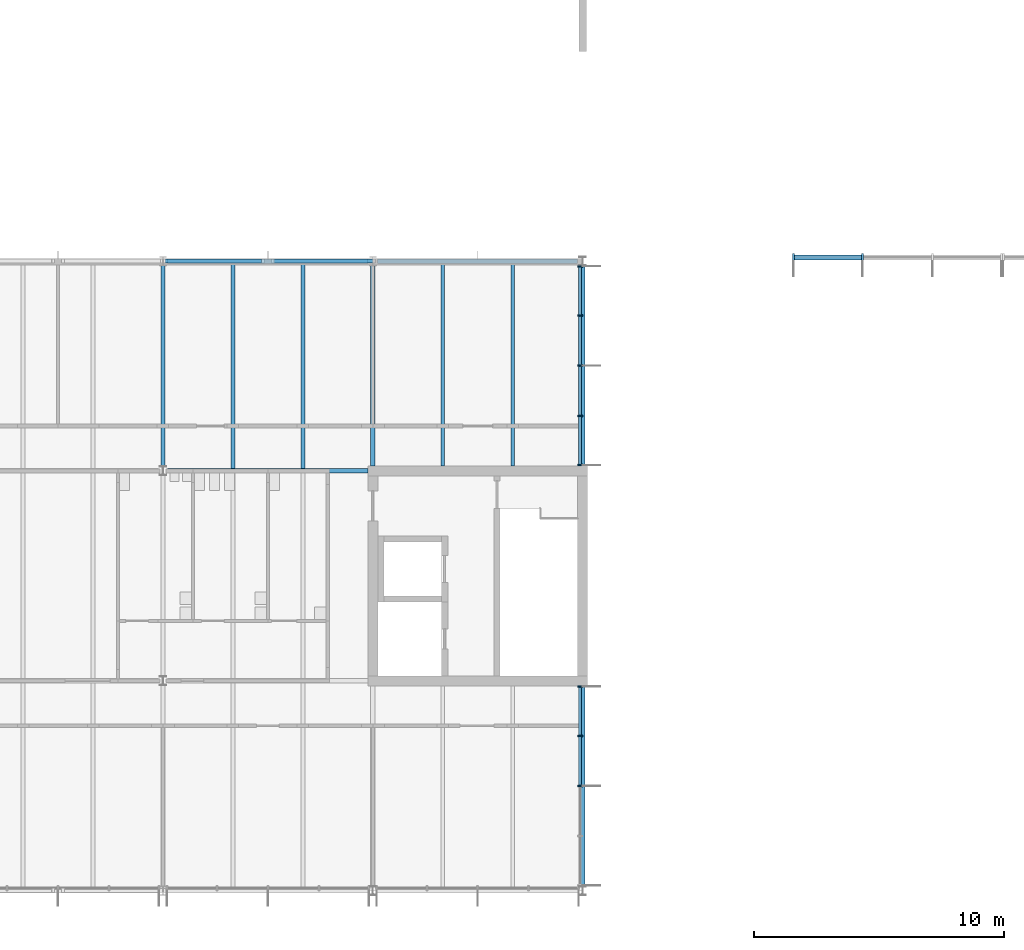
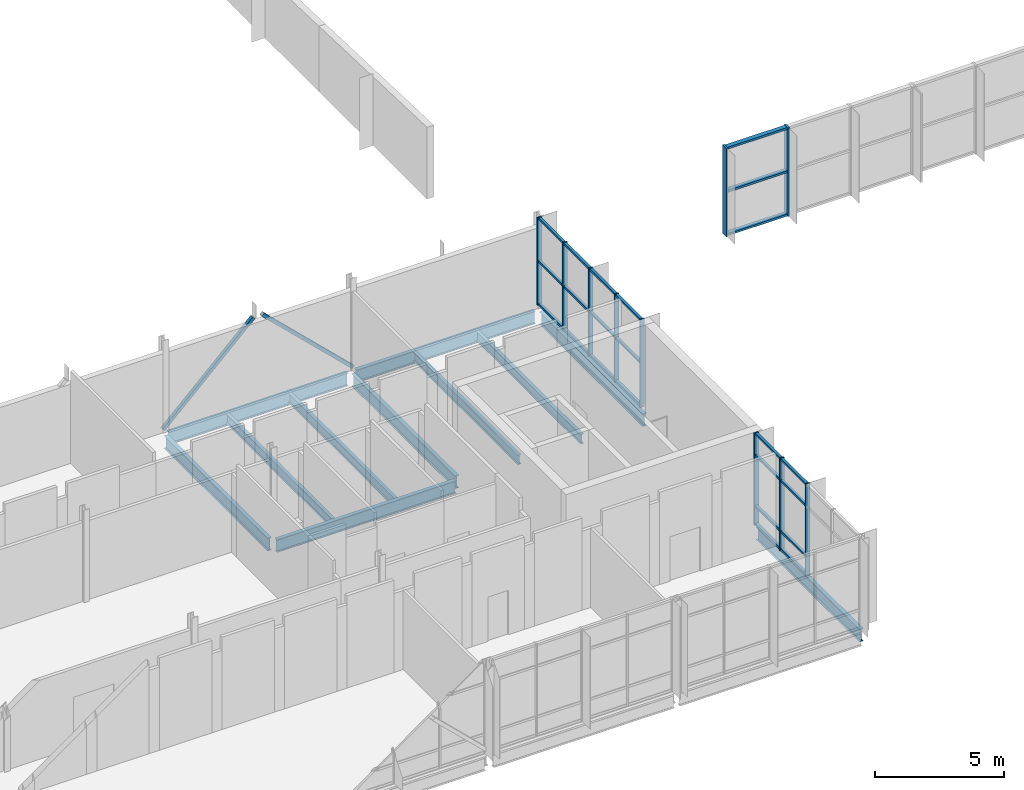
# One storey, part 15 of 72: 35 members, 11 beams, 3 elements without a shape of their own.
"""IFC4 building model written with IfcOpenShell, lengths in metres."""

import ifcopenshell
import ifcopenshell.guid

model = None  # the IFC model being written
_history = None  # IfcOwnerHistory: only IFC2X3 demands one
_inside = {}  # id of a spatial element -> (the spatial element, [elements in it])
_under = {}  # id of a project, library or spatial element -> (it, [spatial elements below it])
_declared = {}  # id of a project -> (the project, [libraries it declares])
_typed = {}  # id of a type object -> (the type object, [elements of that type])
_made_of = {}  # id of a material, layer set ... -> (it, [elements and type objects made of it])


def new_model(schema):
    """Start an empty IFC model of exactly this schema.

    Asked for "IFC4X3", IfcOpenShell would pick the latest addendum, in which some entities
    have other attributes; the version numbers below select the first issue.
    IFC2X3 requires an IfcOwnerHistory on every rooted entity: one is made here for all.
    """
    global model, _history
    if schema == "IFC4X3":
        model = ifcopenshell.file(schema_version=(4, 3, 0, 0))
    else:
        model = ifcopenshell.file(schema=schema)
    _inside.clear()
    _under.clear()
    _declared.clear()
    _typed.clear()
    _made_of.clear()
    _history = None
    if model.schema == "IFC2X3":
        org = make("IfcOrganization", Name="unknown")
        user = make(
            "IfcPersonAndOrganization",
            ThePerson=make("IfcPerson", FamilyName="unknown"),
            TheOrganization=org,
        )
        app = make(
            "IfcApplication",
            ApplicationDeveloper=org,
            Version="unknown",
            ApplicationFullName="unknown",
            ApplicationIdentifier="unknown",
        )
        _history = make(
            "IfcOwnerHistory",
            OwningUser=user,
            OwningApplication=app,
            ChangeAction="ADDED",
            CreationDate=0,
        )
    return model


def make(cls, **values):
    """One entity of the class cls with the attributes given. An attribute that is None is left unset."""
    return model.create_entity(
        cls, **{name: value for name, value in values.items() if value is not None}
    )


def rooted(cls, **values):
    """An entity with a GlobalId (a new one), such as an element, a storey or a relation."""
    return make(cls, GlobalId=ifcopenshell.guid.new(), OwnerHistory=_history, **values)


def si_unit(unit_type, name, prefix=None):
    """IfcSIUnit, for example si_unit("LENGTHUNIT", "METRE", prefix="MILLI")."""
    return make("IfcSIUnit", UnitType=unit_type, Prefix=prefix, Name=name)


def assignment(units):
    """IfcUnitAssignment: the units of a project."""
    return None if units is None else make("IfcUnitAssignment", Units=units)


def point(xyz):
    """IfcCartesianPoint."""
    return None if xyz is None else make("IfcCartesianPoint", Coordinates=xyz)


def direction(xyz):
    """IfcDirection."""
    return None if xyz is None else make("IfcDirection", DirectionRatios=xyz)


def frame(location, z_axis=None, x_axis=None):
    """IfcAxis2Placement3D, a coordinate frame: its origin and axes. An axis left out is left unset."""
    return make(
        "IfcAxis2Placement3D",
        Location=point(location),
        Axis=direction(z_axis),
        RefDirection=direction(x_axis),
    )


def frame_2d(location, x_axis=None):
    """IfcAxis2Placement2D, a coordinate frame in the plane: its origin and x axis."""
    return make(
        "IfcAxis2Placement2D", Location=point(location), RefDirection=direction(x_axis)
    )


def origin():
    """The frame at (0, 0, 0) with its axes left unset."""
    return frame((0.0, 0.0, 0.0))


def origin_2d():
    """The frame at (0, 0) in the plane with its x axis left unset."""
    return frame_2d((0.0, 0.0))


def place(relative_to, where):
    """IfcLocalPlacement: puts the frame where relative to a parent placement (None: the world)."""
    return make(
        "IfcLocalPlacement", PlacementRelTo=relative_to, RelativePlacement=where
    )


def context(
    kind, dimensions, precision=None, world=None, true_north=None, identifier=None
):
    """IfcGeometricRepresentationContext, for example the 3D "Model" context."""
    return make(
        "IfcGeometricRepresentationContext",
        ContextIdentifier=identifier,
        ContextType=kind,
        CoordinateSpaceDimension=dimensions,
        Precision=precision,
        WorldCoordinateSystem=world,
        TrueNorth=true_north,
    )


def subcontext(parent, identifier, kind, view, scale=None):
    """IfcGeometricRepresentationSubContext, for example "Body" below "Model"."""
    return make(
        "IfcGeometricRepresentationSubContext",
        ContextIdentifier=identifier,
        ContextType=kind,
        ParentContext=parent,
        TargetScale=scale,
        TargetView=view,
    )


def project(units=None, contexts=None):
    """IfcProject with its units and contexts."""
    return rooted(
        "IfcProject",
        Name="project",
        RepresentationContexts=contexts,
        UnitsInContext=assignment(units),
    )


def spatial(cls, under=None, at=None, **own):
    """A site, building, storey or space (cls), placed at a placement, below another one or the project."""
    s = rooted(cls, ObjectPlacement=at, **own)
    if under is not None:
        _under.setdefault(under.id(), (under, []))[1].append(s)
    return s


def profile(cls, at=None, kind="AREA", **sizes):
    """A parametric profile (cls). Its sizes go by their IFC names, for example OverallWidth=200.0."""
    return make(cls, ProfileType=kind, Position=at, **sizes)


def rectangle(**sizes):
    """IfcRectangleProfileDef."""
    return profile("IfcRectangleProfileDef", **sizes)


def hollow_rectangle(**sizes):
    """IfcRectangleHollowProfileDef."""
    return profile("IfcRectangleHollowProfileDef", **sizes)


def i_section(**sizes):
    """IfcIShapeProfileDef."""
    return profile("IfcIShapeProfileDef", **sizes)


def extrude(swept, where, along, depth):
    """IfcExtrudedAreaSolid: the profile swept, set in the frame where, extruded along a direction by depth."""
    return make(
        "IfcExtrudedAreaSolid",
        SweptArea=swept,
        Position=where,
        ExtrudedDirection=direction(along),
        Depth=depth,
    )


def shape(context_of_items, identifier, shape_type, items):
    """IfcShapeRepresentation: the items that make up one representation, for example the "Body"."""
    return make(
        "IfcShapeRepresentation",
        ContextOfItems=context_of_items,
        RepresentationIdentifier=identifier,
        RepresentationType=shape_type,
        Items=items,
    )


def material(Name=None, Category=None):
    """IfcMaterial."""
    return make("IfcMaterial", Name=Name, Category=Category)


def material_profile(
    of_material, cross_section, Name=None, Category=None, Priority=None
):
    """IfcMaterialProfile: a cross section and its material."""
    return make(
        "IfcMaterialProfile",
        Name=Name,
        Material=of_material,
        Profile=cross_section,
        Priority=Priority,
        Category=Category,
    )


def profile_set(profiles, Name=None, composite=None):
    """IfcMaterialProfileSet."""
    return make(
        "IfcMaterialProfileSet",
        Name=Name,
        MaterialProfiles=profiles,
        CompositeProfile=composite,
    )


def made_of(thing, what):
    """Note that an element or type object is made of a material, layer set ...; save() writes the relation."""
    if what is not None:
        _made_of.setdefault(what.id(), (what, []))[1].append(thing)
    return thing


def type_object(cls, material=None, **own):
    """A type object (cls), such as IfcWallType, which elements share."""
    return made_of(rooted(cls, **own), material)


def element(
    cls,
    number,
    at=None,
    inside=None,
    cuts=None,
    type_object=None,
    material=None,
    context=None,
    identifier="Body",
    shape_type=None,
    held_by="IfcProductDefinitionShape",
    body=None,
    shapes=None,
    **own,
):
    """One element of the class cls, such as IfcWall. Its Tag is "e" and its number.

    at: its placement. inside: the storey or other place that contains it. cuts: it is an
    opening in that element (IfcRelVoidsElement). A single representation is given by context,
    identifier, shape_type and body (its items); several are given by shapes. held_by: the class
    of the entity that holds the representations. save() writes the other relations.
    """
    e = rooted(cls, Tag="e%d" % number, ObjectPlacement=at, **own)
    if body is not None:
        shapes = [shape(context, identifier, shape_type, body)]
    if shapes is not None:
        e.Representation = make(held_by, Representations=shapes)
    if inside is not None:
        _inside.setdefault(inside.id(), (inside, []))[1].append(e)
    if cuts is not None:
        rooted(
            "IfcRelVoidsElement", RelatingBuildingElement=cuts, RelatedOpeningElement=e
        )
    if type_object is not None:
        _typed.setdefault(type_object.id(), (type_object, []))[1].append(e)
    return made_of(e, material)


def aggregate(whole, parts):
    """IfcRelAggregates: a whole, such as a stair, and the parts it consists of."""
    return rooted("IfcRelAggregates", RelatingObject=whole, RelatedObjects=parts)


def save(model, path):
    """Write the relations noted so far, then the file.

    IfcRelAggregates (storeys below a building ...), IfcRelContainedInSpatialStructure (elements
    in a storey), IfcRelDefinesByType, IfcRelAssociatesMaterial and IfcRelDeclares: one each for
    every whole, place, type object, material and project.
    """
    for whole, parts in _under.values():
        aggregate(whole, parts)
    for where, things in _inside.values():
        rooted(
            "IfcRelContainedInSpatialStructure",
            RelatedElements=things,
            RelatingStructure=where,
        )
    for kind, things in _typed.values():
        rooted("IfcRelDefinesByType", RelatedObjects=things, RelatingType=kind)
    for what, things in _made_of.values():
        rooted("IfcRelAssociatesMaterial", RelatedObjects=things, RelatingMaterial=what)
    for by, libraries in _declared.values():
        rooted("IfcRelDeclares", RelatingContext=by, RelatedDefinitions=libraries)
    model.write(path)


model = new_model("IFC4")

# Units and contexts
model_context = context("Model", 3, precision=1e-05, world=origin(), true_north=direction((0.0, 1.0)))
body_context = subcontext(model_context, "Body", "Model", "MODEL_VIEW")
ifc_project = project(units=[si_unit("LENGTHUNIT", "METRE"), si_unit("AREAUNIT", "SQUARE_METRE"), si_unit("VOLUMEUNIT", "CUBIC_METRE"), si_unit("PLANEANGLEUNIT", "RADIAN"), si_unit("MASSUNIT", "GRAM", prefix="KILO")], contexts=[model_context])

# Site, building, storey
site_placement = place(None, origin())
site = spatial("IfcSite", under=ifc_project, at=site_placement, CompositionType="ELEMENT")
building_placement = place(site_placement, origin())
building = spatial("IfcBuilding", under=site, at=building_placement, Name="Hlaing Beacon Police Headquarters", CompositionType="ELEMENT")
storey_placement = place(building_placement, frame((0.0, 0.0, 14.39990234375)))
storey = spatial("IfcBuildingStorey", under=building, at=storey_placement, Name="L03", CompositionType="ELEMENT", Elevation=14.39990234375)

# Members
ifc_material_1 = material(Name="Steel ASTM A500 Grade C", Category="steel")
ifc_material_profile_1 = material_profile(ifc_material_1, hollow_rectangle(XDim=0.15234375, YDim=0.15234375, WallThickness=0.009521484375, at=origin_2d()), Name="HSS6x6x3/8")
ifc_profile_set_1 = profile_set([ifc_material_profile_1], Name="Steel ASTM A500 Grade C")
member_type_1 = type_object("IfcMemberType", Name="Chevron brace HSS6x6x3/8", PredefinedType="BRACE", material=ifc_profile_set_1)
member_1_placement = place(storey_placement, frame((41.9560546875, 33.60009765625, 0.05517578125), z_axis=(0.719983903196, 0.0, 0.693990763006), x_axis=(0.0, 1.0, 0.0)))
element("IfcMember", 1, at=member_1_placement, inside=storey, type_object=member_type_1, Name="STR-BR-L03-5Fa", PredefinedType="BRACE", context=body_context, shape_type="SweptSolid", body=[
    extrude(hollow_rectangle(XDim=0.15234375, YDim=0.15234375, WallThickness=0.009521484375, at=origin_2d()), origin(), (0.0, 0.0, 1.0), 5.61669921875),
])
member_2_placement = place(storey_placement, frame((50.444091796875, 33.60009765625, 0.05517578125), z_axis=(-0.720004836827, 0.0, 0.693969044659), x_axis=(0.0, -1.0, 0.0)))
element("IfcMember", 2, at=member_2_placement, inside=storey, type_object=member_type_1, Name="STR-BR-L03-5Fb", PredefinedType="BRACE", context=body_context, shape_type="SweptSolid", body=[
    extrude(hollow_rectangle(XDim=0.15234375, YDim=0.15234375, WallThickness=0.009521484375, at=origin_2d()), origin(), (0.0, 0.0, 1.0), 5.616943359375),
])

# Beams
ifc_material_2 = material(Name="Steel ASTM A992 Grade 50", Category="steel")
ifc_material_profile_2 = material_profile(ifc_material_2, i_section(OverallWidth=0.177978515625, OverallDepth=0.599365234375, WebThickness=0.010009765625, FlangeThickness=0.012939453125, FilletRadius=0.012939453125, at=origin_2d()), Name="W24x55")
ifc_profile_set_2 = profile_set([ifc_material_profile_2], Name="Steel ASTM A992 Grade 50")
beam_type_1 = type_object("IfcBeamType", Name="Girder W24x55", PredefinedType="BEAM", material=ifc_profile_set_2)
beam_1_placement = place(storey_placement, frame((42.18505859375, 25.199951171875, -0.4296875), z_axis=(1.0, 0.0, 0.0), x_axis=(0.0, 1.0, 0.0)))
element("IfcBeam", 3, at=beam_1_placement, inside=storey, type_object=beam_type_1, Name="STR-BM-L03-GX-F4-G4", PredefinedType="BEAM", context=body_context, shape_type="SweptSolid", body=[
    extrude(i_section(OverallWidth=0.177978515625, OverallDepth=0.599365234375, WebThickness=0.010009765625, FlangeThickness=0.012939453125, FilletRadius=0.012939453125, at=origin_2d()), origin(), (0.0, 0.0, 1.0), 8.014892578125),
])
beam_2_placement = place(storey_placement, frame((50.5849609375, 33.60009765625, -0.4296875), z_axis=(1.0, 0.0, 0.0), x_axis=(0.0, 1.0, 0.0)))
element("IfcBeam", 4, at=beam_2_placement, inside=storey, type_object=beam_type_1, Name="STR-BM-L03-GX-G5-H5", PredefinedType="BEAM", context=body_context, shape_type="SweptSolid", body=[
    extrude(i_section(OverallWidth=0.177978515625, OverallDepth=0.599365234375, WebThickness=0.010009765625, FlangeThickness=0.012939453125, FilletRadius=0.012939453125, at=origin_2d()), origin(), (0.0, 0.0, 1.0), 8.01513671875),
])
beam_3_placement = place(storey_placement, frame((42.0, 25.382080078125, -0.4296875), z_axis=(0.0, 1.0, 0.0), x_axis=(-1.0, 0.0, 0.0)))
element("IfcBeam", 5, at=beam_3_placement, inside=storey, type_object=beam_type_1, Name="STR-BM-L03-GY-F4-F5", PredefinedType="BEAM", context=body_context, shape_type="SweptSolid", body=[
    extrude(i_section(OverallWidth=0.177978515625, OverallDepth=0.599365234375, WebThickness=0.010009765625, FlangeThickness=0.012939453125, FilletRadius=0.012939453125, at=origin_2d()), origin(), (0.0, 0.0, 1.0), 8.037841796875),
])
beam_4_placement = place(storey_placement, frame((50.39990234375, 25.39990234375, -0.4296875), z_axis=(0.0, 1.0, 0.0), x_axis=(-1.0, 0.0, 0.0)))
element("IfcBeam", 6, at=beam_4_placement, inside=storey, type_object=beam_type_1, Name="STR-BM-L03-GY-G4-G5", PredefinedType="BEAM", context=body_context, shape_type="SweptSolid", body=[
    extrude(i_section(OverallWidth=0.177978515625, OverallDepth=0.599365234375, WebThickness=0.010009765625, FlangeThickness=0.012939453125, FilletRadius=0.012939453125, at=origin_2d()), origin(), (0.0, 0.0, 1.0), 8.02001953125),
])
beam_5_placement = place(storey_placement, frame((58.800048828125, 8.576904296875, -0.4296875), z_axis=(0.0, 1.0, 0.0), x_axis=(-1.0, 0.0, 0.0)))
element("IfcBeam", 7, at=beam_5_placement, inside=storey, type_object=beam_type_1, Name="STR-BM-L03-GY-H2-H3", PredefinedType="BEAM", context=body_context, shape_type="SweptSolid", body=[
    extrude(i_section(OverallWidth=0.177978515625, OverallDepth=0.599365234375, WebThickness=0.010009765625, FlangeThickness=0.012939453125, FilletRadius=0.012939453125, at=origin_2d()), origin(), (0.0, 0.0, 1.0), 8.023193359375),
])
beam_6_placement = place(storey_placement, frame((58.800048828125, 25.39990234375, -0.4296875), z_axis=(0.0, 1.0, 0.0), x_axis=(-1.0, 0.0, 0.0)))
element("IfcBeam", 8, at=beam_6_placement, inside=storey, type_object=beam_type_1, Name="STR-BM-L03-GY-H4-H5", PredefinedType="BEAM", context=body_context, shape_type="SweptSolid", body=[
    extrude(i_section(OverallWidth=0.177978515625, OverallDepth=0.599365234375, WebThickness=0.010009765625, FlangeThickness=0.012939453125, FilletRadius=0.012939453125, at=origin_2d()), origin(), (0.0, 0.0, 1.0), 8.0),
])
ifc_material_3 = material(Name="Steel ASTM A992 Grade 50", Category="steel")
ifc_material_profile_3 = material_profile(ifc_material_3, i_section(OverallWidth=0.1787109375, OverallDepth=0.60205078125, WebThickness=0.010986328125, FlangeThickness=0.014892578125, FilletRadius=0.0126953125, at=origin_2d()), Name="W24x62")
ifc_profile_set_3 = profile_set([ifc_material_profile_3], Name="Steel ASTM A992 Grade 50")
beam_type_2 = type_object("IfcBeamType", Name="Girder W24x62", PredefinedType="BEAM", material=ifc_profile_set_3)
beam_7_placement = place(storey_placement, frame((42.18505859375, 33.60009765625, -0.430908203125), z_axis=(1.0, 0.0, 0.0), x_axis=(0.0, 1.0, 0.0)))
element("IfcBeam", 9, at=beam_7_placement, inside=storey, type_object=beam_type_2, Name="STR-BM-L03-GX-F5-G5", PredefinedType="BEAM", context=body_context, shape_type="SweptSolid", body=[
    extrude(i_section(OverallWidth=0.1787109375, OverallDepth=0.60205078125, WebThickness=0.010986328125, FlangeThickness=0.014892578125, FilletRadius=0.0126953125, at=origin_2d()), origin(), (0.0, 0.0, 1.0), 8.030029296875),
])

# Curtain wall, members
ifc_material_4 = material(Name="Aluminium frame with solar control glazing", Category="aluminium")
curtain_wall_type_1 = type_object("IfcCurtainWallType", Name="Unitised curtain wall 8.02 x 4.37", PredefinedType="NOTDEFINED", material=ifc_material_4)
curtain_wall_1_placement = place(storey_placement, origin())
curtain_wall_1 = element("IfcCurtainWall", 10, at=curtain_wall_1_placement, inside=storey, type_object=curtain_wall_type_1, Name="ENV-CW-L03-E013", PredefinedType="NOTDEFINED")
ifc_material_5 = material(Name="Aluminium", Category="aluminium")
ifc_material_profile_4 = material_profile(ifc_material_5, rectangle(XDim=0.199951171875, YDim=0.06005859375, at=origin_2d()), Name="Mullion 60x200")
ifc_profile_set_4 = profile_set([ifc_material_profile_4], Name="Aluminium")
member_type_2 = type_object("IfcMemberType", Name="Mullion 60x200", PredefinedType="MULLION", material=ifc_profile_set_4)
member_3_placement = place(storey_placement, frame((58.699951171875, 12.588134765625, 0.0), z_axis=(0.0, 0.0, 1.0), x_axis=(-1.0, 0.0, 0.0)))
member_3 = element("IfcMember", 11, at=member_3_placement, type_object=member_type_2, Name="CW-L03-E013 mullion 3", PredefinedType="MULLION", context=body_context, shape_type="SweptSolid", body=[
    extrude(rectangle(XDim=0.199951171875, YDim=0.06005859375, at=origin_2d()), origin(), (0.0, 0.0, 1.0), 4.3701171875),
])
member_4_placement = place(storey_placement, frame((58.699951171875, 14.59423828125, 0.0), z_axis=(0.0, 0.0, 1.0), x_axis=(-1.0, 0.0, 0.0)))
member_4 = element("IfcMember", 12, at=member_4_placement, type_object=member_type_2, Name="CW-L03-E013 mullion 4", PredefinedType="MULLION", context=body_context, shape_type="SweptSolid", body=[
    extrude(rectangle(XDim=0.199951171875, YDim=0.06005859375, at=origin_2d()), origin(), (0.0, 0.0, 1.0), 4.3701171875),
])
member_5_placement = place(storey_placement, frame((58.699951171875, 16.570068359375, 0.0), z_axis=(0.0, 0.0, 1.0), x_axis=(-1.0, 0.0, 0.0)))
member_5 = element("IfcMember", 13, at=member_5_placement, type_object=member_type_2, Name="CW-L03-E013 mullion 5", PredefinedType="MULLION", context=body_context, shape_type="SweptSolid", body=[
    extrude(rectangle(XDim=0.199951171875, YDim=0.06005859375, at=origin_2d()), origin(), (0.0, 0.0, 1.0), 4.3701171875),
])

ifc_material_6 = material(Name="Aluminium frame with solar control glazing", Category="aluminium")
curtain_wall_type_2 = type_object("IfcCurtainWallType", Name="Unitised curtain wall 8.02 x 4.16", PredefinedType="NOTDEFINED", material=ifc_material_6)
curtain_wall_2_placement = place(storey_placement, origin())
curtain_wall_2 = element("IfcCurtainWall", 14, at=curtain_wall_2_placement, inside=storey, type_object=curtain_wall_type_2, Name="ENV-CW-L03-E014", PredefinedType="NOTDEFINED")
member_6_placement = place(storey_placement, frame((58.699951171875, 25.429931640625, 0.2080078125), z_axis=(0.0, 0.0, 1.0), x_axis=(-1.0, 0.0, 0.0)))
member_6 = element("IfcMember", 15, at=member_6_placement, type_object=member_type_2, Name="CW-L03-E014 mullion 1", PredefinedType="MULLION", context=body_context, shape_type="SweptSolid", body=[
    extrude(rectangle(XDim=0.199951171875, YDim=0.06005859375, at=origin_2d()), origin(), (0.0, 0.0, 1.0), 4.162109375),
])
member_7_placement = place(storey_placement, frame((58.699951171875, 27.40576171875, 0.2080078125), z_axis=(0.0, 0.0, 1.0), x_axis=(-1.0, 0.0, 0.0)))
member_7 = element("IfcMember", 16, at=member_7_placement, type_object=member_type_2, Name="CW-L03-E014 mullion 2", PredefinedType="MULLION", context=body_context, shape_type="SweptSolid", body=[
    extrude(rectangle(XDim=0.199951171875, YDim=0.06005859375, at=origin_2d()), origin(), (0.0, 0.0, 1.0), 4.162109375),
])
member_8_placement = place(storey_placement, frame((58.699951171875, 29.411865234375, 0.2080078125), z_axis=(0.0, 0.0, 1.0), x_axis=(-1.0, 0.0, 0.0)))
member_8 = element("IfcMember", 17, at=member_8_placement, type_object=member_type_2, Name="CW-L03-E014 mullion 3", PredefinedType="MULLION", context=body_context, shape_type="SweptSolid", body=[
    extrude(rectangle(XDim=0.199951171875, YDim=0.06005859375, at=origin_2d()), origin(), (0.0, 0.0, 1.0), 4.162109375),
])
member_9_placement = place(storey_placement, frame((58.699951171875, 31.417724609375, 0.2080078125), z_axis=(0.0, 0.0, 1.0), x_axis=(-1.0, 0.0, 0.0)))
member_9 = element("IfcMember", 18, at=member_9_placement, type_object=member_type_2, Name="CW-L03-E014 mullion 4", PredefinedType="MULLION", context=body_context, shape_type="SweptSolid", body=[
    extrude(rectangle(XDim=0.199951171875, YDim=0.06005859375, at=origin_2d()), origin(), (0.0, 0.0, 1.0), 4.162109375),
])
member_10_placement = place(storey_placement, frame((58.699951171875, 33.3935546875, 0.2080078125), z_axis=(0.0, 0.0, 1.0), x_axis=(-1.0, 0.0, 0.0)))
member_10 = element("IfcMember", 19, at=member_10_placement, type_object=member_type_2, Name="CW-L03-E014 mullion 5", PredefinedType="MULLION", context=body_context, shape_type="SweptSolid", body=[
    extrude(rectangle(XDim=0.199951171875, YDim=0.06005859375, at=origin_2d()), origin(), (0.0, 0.0, 1.0), 4.162109375),
])

ifc_material_7 = material(Name="Aluminium frame with solar control glazing", Category="aluminium")
curtain_wall_type_3 = type_object("IfcCurtainWallType", Name="Structural glazed gable wall 8.40 x 4.20", PredefinedType="NOTDEFINED", material=ifc_material_7)
curtain_wall_3_placement = place(storey_placement, origin())
curtain_wall_3 = element("IfcCurtainWall", 20, at=curtain_wall_3_placement, inside=storey, type_object=curtain_wall_type_3, Name="ENV-CW-L03-S003", PredefinedType="NOTDEFINED")
ifc_material_8 = material(Name="Aluminium", Category="aluminium")
ifc_material_profile_5 = material_profile(ifc_material_8, rectangle(XDim=0.300048828125, YDim=0.080078125, at=origin_2d()), Name="Mullion 80x300")
ifc_profile_set_5 = profile_set([ifc_material_profile_5], Name="Aluminium")
member_type_3 = type_object("IfcMemberType", Name="Mullion 80x300", PredefinedType="MULLION", material=ifc_profile_set_5)
member_11_placement = place(storey_placement, frame((67.239990234375, 33.75, 0.304931640625), z_axis=(0.0, 0.0, 1.0), x_axis=(0.0, 1.0, 0.0)))
member_11 = element("IfcMember", 21, at=member_11_placement, type_object=member_type_3, Name="CW-L03-S003 mullion 1", PredefinedType="MULLION", context=body_context, shape_type="SweptSolid", body=[
    extrude(rectangle(XDim=0.300048828125, YDim=0.080078125, at=origin_2d()), origin(), (0.0, 0.0, 1.0), 4.195068359375),
])
member_12_placement = place(storey_placement, frame((70.0, 33.75, 0.304931640625), z_axis=(0.0, 0.0, 1.0), x_axis=(0.0, 1.0, 0.0)))
member_12 = element("IfcMember", 22, at=member_12_placement, type_object=member_type_3, Name="CW-L03-S003 mullion 2", PredefinedType="MULLION", context=body_context, shape_type="SweptSolid", body=[
    extrude(rectangle(XDim=0.300048828125, YDim=0.080078125, at=origin_2d()), origin(), (0.0, 0.0, 1.0), 4.195068359375),
])

# Beams
ifc_material_9 = material(Name="Steel ASTM A992 Grade 50", Category="steel")
ifc_material_profile_6 = material_profile(ifc_material_9, i_section(OverallWidth=0.15234375, OverallDepth=0.449462890625, WebThickness=0.007568359375, FlangeThickness=0.0107421875, FilletRadius=0.01025390625, at=origin_2d()), Name="W18x35")
ifc_profile_set_6 = profile_set([ifc_material_profile_6], Name="Steel ASTM A992 Grade 50")
beam_type_3 = type_object("IfcBeamType", Name="Secondary beam W18x35", PredefinedType="BEAM", material=ifc_profile_set_6)
for number, where, z_axis, x_axis, name in (
    (23, (44.800048828125, 25.2890625, -0.354736328125), (0.0, 1.0, 0.0), (-1.0, 0.0, 0.0), "STR-BM-L03-SB-F4-y1"),
    (24, (47.60009765625, 25.2890625, -0.354736328125), (0.0, 1.0, 0.0), (-1.0, 0.0, 0.0), "STR-BM-L03-SB-F4-y2"),
):
    element("IfcBeam", number, at=place(storey_placement, frame(where, z_axis=z_axis, x_axis=x_axis)), inside=storey, type_object=beam_type_3, Name=name, PredefinedType="BEAM", context=body_context, shape_type="SweptSolid", body=[
        extrude(i_section(OverallWidth=0.15234375, OverallDepth=0.449462890625, WebThickness=0.007568359375, FlangeThickness=0.0107421875, FilletRadius=0.01025390625, at=origin_2d()), origin(), (0.0, 0.0, 1.0), 8.221923828125),
    ])
for number, where, z_axis, x_axis, name in (
    (25, (53.199951171875, 25.39990234375, -0.354736328125), (0.0, 1.0, 0.0), (-1.0, 0.0, 0.0), "STR-BM-L03-SB-G4-y1"),
    (26, (56.0, 25.39990234375, -0.354736328125), (0.0, 1.0, 0.0), (-1.0, 0.0, 0.0), "STR-BM-L03-SB-G4-y2"),
):
    element("IfcBeam", number, at=place(storey_placement, frame(where, z_axis=z_axis, x_axis=x_axis)), inside=storey, type_object=beam_type_3, Name=name, PredefinedType="BEAM", context=body_context, shape_type="SweptSolid", body=[
        extrude(i_section(OverallWidth=0.15234375, OverallDepth=0.449462890625, WebThickness=0.007568359375, FlangeThickness=0.0107421875, FilletRadius=0.01025390625, at=origin_2d()), origin(), (0.0, 0.0, 1.0), 8.111083984375),
    ])

# Member
ifc_material_10 = material(Name="Aluminium", Category="aluminium")
ifc_material_profile_7 = material_profile(ifc_material_10, rectangle(XDim=0.1201171875, YDim=0.10009765625, at=origin_2d()), Name="Transom 120x100")
ifc_profile_set_7 = profile_set([ifc_material_profile_7], Name="Aluminium")
member_type_4 = type_object("IfcMemberType", Name="Transom 120x100", PredefinedType="USERDEFINED", material=ifc_profile_set_7)
member_13_placement = place(storey_placement, frame((58.699951171875, 12.6181640625, 0.050048828125), z_axis=(0.0, 1.0, 0.0), x_axis=(-1.0, 0.0, 0.0)))
member_13 = element("IfcMember", 27, at=member_13_placement, type_object=member_type_4, Name="CW-L03-E013 transom 3.1", ObjectType="TRANSOM", PredefinedType="USERDEFINED", context=body_context, shape_type="SweptSolid", body=[
    extrude(rectangle(XDim=0.1201171875, YDim=0.10009765625, at=origin_2d()), origin(), (0.0, 0.0, 1.0), 1.946044921875),
])

member_14_placement = place(storey_placement, frame((58.699951171875, 12.6181640625, 0.900146484375), z_axis=(0.0, 1.0, 0.0), x_axis=(-1.0, 0.0, 0.0)))
member_14 = element("IfcMember", 28, at=member_14_placement, type_object=member_type_4, Name="CW-L03-E013 transom 3.2", ObjectType="TRANSOM", PredefinedType="USERDEFINED", context=body_context, shape_type="SweptSolid", body=[
    extrude(rectangle(XDim=0.1201171875, YDim=0.10009765625, at=origin_2d()), origin(), (0.0, 0.0, 1.0), 1.946044921875),
])

member_15_placement = place(storey_placement, frame((58.699951171875, 12.6181640625, 3.300048828125), z_axis=(0.0, 1.0, 0.0), x_axis=(-1.0, 0.0, 0.0)))
member_15 = element("IfcMember", 29, at=member_15_placement, type_object=member_type_4, Name="CW-L03-E013 transom 3.3", ObjectType="TRANSOM", PredefinedType="USERDEFINED", context=body_context, shape_type="SweptSolid", body=[
    extrude(rectangle(XDim=0.1201171875, YDim=0.10009765625, at=origin_2d()), origin(), (0.0, 0.0, 1.0), 1.946044921875),
])

member_16_placement = place(storey_placement, frame((58.699951171875, 12.6181640625, 4.320068359375), z_axis=(0.0, 1.0, 0.0), x_axis=(-1.0, 0.0, 0.0)))
member_16 = element("IfcMember", 30, at=member_16_placement, type_object=member_type_4, Name="CW-L03-E013 transom 3.4", ObjectType="TRANSOM", PredefinedType="USERDEFINED", context=body_context, shape_type="SweptSolid", body=[
    extrude(rectangle(XDim=0.1201171875, YDim=0.10009765625, at=origin_2d()), origin(), (0.0, 0.0, 1.0), 1.946044921875),
])

member_17_placement = place(storey_placement, frame((58.699951171875, 14.6240234375, 0.050048828125), z_axis=(0.0, 1.0, 0.0), x_axis=(-1.0, 0.0, 0.0)))
member_17 = element("IfcMember", 31, at=member_17_placement, type_object=member_type_4, Name="CW-L03-E013 transom 4.1", ObjectType="TRANSOM", PredefinedType="USERDEFINED", context=body_context, shape_type="SweptSolid", body=[
    extrude(rectangle(XDim=0.1201171875, YDim=0.10009765625, at=origin_2d()), origin(), (0.0, 0.0, 1.0), 1.916015625),
])

member_18_placement = place(storey_placement, frame((58.699951171875, 14.6240234375, 0.900146484375), z_axis=(0.0, 1.0, 0.0), x_axis=(-1.0, 0.0, 0.0)))
member_18 = element("IfcMember", 32, at=member_18_placement, type_object=member_type_4, Name="CW-L03-E013 transom 4.2", ObjectType="TRANSOM", PredefinedType="USERDEFINED", context=body_context, shape_type="SweptSolid", body=[
    extrude(rectangle(XDim=0.1201171875, YDim=0.10009765625, at=origin_2d()), origin(), (0.0, 0.0, 1.0), 1.916015625),
])

member_19_placement = place(storey_placement, frame((58.699951171875, 14.6240234375, 3.300048828125), z_axis=(0.0, 1.0, 0.0), x_axis=(-1.0, 0.0, 0.0)))
member_19 = element("IfcMember", 33, at=member_19_placement, type_object=member_type_4, Name="CW-L03-E013 transom 4.3", ObjectType="TRANSOM", PredefinedType="USERDEFINED", context=body_context, shape_type="SweptSolid", body=[
    extrude(rectangle(XDim=0.1201171875, YDim=0.10009765625, at=origin_2d()), origin(), (0.0, 0.0, 1.0), 1.916015625),
])

member_20_placement = place(storey_placement, frame((58.699951171875, 14.6240234375, 4.320068359375), z_axis=(0.0, 1.0, 0.0), x_axis=(-1.0, 0.0, 0.0)))
member_20 = element("IfcMember", 34, at=member_20_placement, type_object=member_type_4, Name="CW-L03-E013 transom 4.4", ObjectType="TRANSOM", PredefinedType="USERDEFINED", context=body_context, shape_type="SweptSolid", body=[
    extrude(rectangle(XDim=0.1201171875, YDim=0.10009765625, at=origin_2d()), origin(), (0.0, 0.0, 1.0), 1.916015625),
])

aggregate(curtain_wall_1, [member_3, member_4, member_5, member_13, member_14, member_15, member_16, member_17, member_18, member_19, member_20])

member_21_placement = place(storey_placement, frame((58.699951171875, 25.4599609375, 0.2578125), z_axis=(0.0, 1.0, 0.0), x_axis=(-1.0, 0.0, 0.0)))
member_21 = element("IfcMember", 35, at=member_21_placement, type_object=member_type_4, Name="CW-L03-E014 transom 1.1", ObjectType="TRANSOM", PredefinedType="USERDEFINED", context=body_context, shape_type="SweptSolid", body=[
    extrude(rectangle(XDim=0.1201171875, YDim=0.10009765625, at=origin_2d()), origin(), (0.0, 0.0, 1.0), 1.916015625),
])

member_22_placement = place(storey_placement, frame((58.699951171875, 25.4599609375, 2.288818359375), z_axis=(0.0, 1.0, 0.0), x_axis=(-1.0, 0.0, 0.0)))
member_22 = element("IfcMember", 36, at=member_22_placement, type_object=member_type_4, Name="CW-L03-E014 transom 1.2", ObjectType="TRANSOM", PredefinedType="USERDEFINED", context=body_context, shape_type="SweptSolid", body=[
    extrude(rectangle(XDim=0.1201171875, YDim=0.10009765625, at=origin_2d()), origin(), (0.0, 0.0, 1.0), 1.916015625),
])

member_23_placement = place(storey_placement, frame((58.699951171875, 25.4599609375, 4.320068359375), z_axis=(0.0, 1.0, 0.0), x_axis=(-1.0, 0.0, 0.0)))
member_23 = element("IfcMember", 37, at=member_23_placement, type_object=member_type_4, Name="CW-L03-E014 transom 1.3", ObjectType="TRANSOM", PredefinedType="USERDEFINED", context=body_context, shape_type="SweptSolid", body=[
    extrude(rectangle(XDim=0.1201171875, YDim=0.10009765625, at=origin_2d()), origin(), (0.0, 0.0, 1.0), 1.916015625),
])

member_24_placement = place(storey_placement, frame((58.699951171875, 27.435791015625, 0.2578125), z_axis=(0.0, 1.0, 0.0), x_axis=(-1.0, 0.0, 0.0)))
member_24 = element("IfcMember", 38, at=member_24_placement, type_object=member_type_4, Name="CW-L03-E014 transom 2.1", ObjectType="TRANSOM", PredefinedType="USERDEFINED", context=body_context, shape_type="SweptSolid", body=[
    extrude(rectangle(XDim=0.1201171875, YDim=0.10009765625, at=origin_2d()), origin(), (0.0, 0.0, 1.0), 1.946044921875),
])

member_25_placement = place(storey_placement, frame((58.699951171875, 27.435791015625, 2.288818359375), z_axis=(0.0, 1.0, 0.0), x_axis=(-1.0, 0.0, 0.0)))
member_25 = element("IfcMember", 39, at=member_25_placement, type_object=member_type_4, Name="CW-L03-E014 transom 2.2", ObjectType="TRANSOM", PredefinedType="USERDEFINED", context=body_context, shape_type="SweptSolid", body=[
    extrude(rectangle(XDim=0.1201171875, YDim=0.10009765625, at=origin_2d()), origin(), (0.0, 0.0, 1.0), 1.946044921875),
])

member_26_placement = place(storey_placement, frame((58.699951171875, 27.435791015625, 4.320068359375), z_axis=(0.0, 1.0, 0.0), x_axis=(-1.0, 0.0, 0.0)))
member_26 = element("IfcMember", 40, at=member_26_placement, type_object=member_type_4, Name="CW-L03-E014 transom 2.3", ObjectType="TRANSOM", PredefinedType="USERDEFINED", context=body_context, shape_type="SweptSolid", body=[
    extrude(rectangle(XDim=0.1201171875, YDim=0.10009765625, at=origin_2d()), origin(), (0.0, 0.0, 1.0), 1.946044921875),
])

member_27_placement = place(storey_placement, frame((58.699951171875, 29.441650390625, 0.2578125), z_axis=(0.0, 1.0, 0.0), x_axis=(-1.0, 0.0, 0.0)))
member_27 = element("IfcMember", 41, at=member_27_placement, type_object=member_type_4, Name="CW-L03-E014 transom 3.1", ObjectType="TRANSOM", PredefinedType="USERDEFINED", context=body_context, shape_type="SweptSolid", body=[
    extrude(rectangle(XDim=0.1201171875, YDim=0.10009765625, at=origin_2d()), origin(), (0.0, 0.0, 1.0), 1.946044921875),
])

member_28_placement = place(storey_placement, frame((58.699951171875, 29.441650390625, 2.288818359375), z_axis=(0.0, 1.0, 0.0), x_axis=(-1.0, 0.0, 0.0)))
member_28 = element("IfcMember", 42, at=member_28_placement, type_object=member_type_4, Name="CW-L03-E014 transom 3.2", ObjectType="TRANSOM", PredefinedType="USERDEFINED", context=body_context, shape_type="SweptSolid", body=[
    extrude(rectangle(XDim=0.1201171875, YDim=0.10009765625, at=origin_2d()), origin(), (0.0, 0.0, 1.0), 1.946044921875),
])

member_29_placement = place(storey_placement, frame((58.699951171875, 29.441650390625, 4.320068359375), z_axis=(0.0, 1.0, 0.0), x_axis=(-1.0, 0.0, 0.0)))
member_29 = element("IfcMember", 43, at=member_29_placement, type_object=member_type_4, Name="CW-L03-E014 transom 3.3", ObjectType="TRANSOM", PredefinedType="USERDEFINED", context=body_context, shape_type="SweptSolid", body=[
    extrude(rectangle(XDim=0.1201171875, YDim=0.10009765625, at=origin_2d()), origin(), (0.0, 0.0, 1.0), 1.946044921875),
])

member_30_placement = place(storey_placement, frame((58.699951171875, 31.447509765625, 0.2578125), z_axis=(0.0, 1.0, 0.0), x_axis=(-1.0, 0.0, 0.0)))
member_30 = element("IfcMember", 44, at=member_30_placement, type_object=member_type_4, Name="CW-L03-E014 transom 4.1", ObjectType="TRANSOM", PredefinedType="USERDEFINED", context=body_context, shape_type="SweptSolid", body=[
    extrude(rectangle(XDim=0.1201171875, YDim=0.10009765625, at=origin_2d()), origin(), (0.0, 0.0, 1.0), 1.916015625),
])

member_31_placement = place(storey_placement, frame((58.699951171875, 31.447509765625, 2.288818359375), z_axis=(0.0, 1.0, 0.0), x_axis=(-1.0, 0.0, 0.0)))
member_31 = element("IfcMember", 45, at=member_31_placement, type_object=member_type_4, Name="CW-L03-E014 transom 4.2", ObjectType="TRANSOM", PredefinedType="USERDEFINED", context=body_context, shape_type="SweptSolid", body=[
    extrude(rectangle(XDim=0.1201171875, YDim=0.10009765625, at=origin_2d()), origin(), (0.0, 0.0, 1.0), 1.916015625),
])

member_32_placement = place(storey_placement, frame((58.699951171875, 31.447509765625, 4.320068359375), z_axis=(0.0, 1.0, 0.0), x_axis=(-1.0, 0.0, 0.0)))
member_32 = element("IfcMember", 46, at=member_32_placement, type_object=member_type_4, Name="CW-L03-E014 transom 4.3", ObjectType="TRANSOM", PredefinedType="USERDEFINED", context=body_context, shape_type="SweptSolid", body=[
    extrude(rectangle(XDim=0.1201171875, YDim=0.10009765625, at=origin_2d()), origin(), (0.0, 0.0, 1.0), 1.916015625),
])

aggregate(curtain_wall_2, [member_6, member_7, member_8, member_9, member_10, member_21, member_22, member_23, member_24, member_25, member_26, member_27, member_28, member_29, member_30, member_31, member_32])

ifc_material_11 = material(Name="Aluminium", Category="aluminium")
ifc_material_profile_8 = material_profile(ifc_material_11, rectangle(XDim=0.199951171875, YDim=0.10009765625, at=origin_2d()), Name="Transom 200x100")
ifc_profile_set_8 = profile_set([ifc_material_profile_8], Name="Aluminium")
member_type_5 = type_object("IfcMemberType", Name="Transom 200x100", PredefinedType="USERDEFINED", material=ifc_profile_set_8)
member_33_placement = place(storey_placement, frame((67.280029296875, 33.75, 0.35498046875), z_axis=(1.0, 0.0, 0.0), x_axis=(0.0, 1.0, 0.0)))
member_33 = element("IfcMember", 47, at=member_33_placement, type_object=member_type_5, Name="CW-L03-S003 transom 1.1", ObjectType="TRANSOM", PredefinedType="USERDEFINED", context=body_context, shape_type="SweptSolid", body=[
    extrude(rectangle(XDim=0.199951171875, YDim=0.10009765625, at=origin_2d()), origin(), (0.0, 0.0, 1.0), 2.679931640625),
])

member_34_placement = place(storey_placement, frame((67.280029296875, 33.75, 2.40283203125), z_axis=(1.0, 0.0, 0.0), x_axis=(0.0, 1.0, 0.0)))
member_34 = element("IfcMember", 48, at=member_34_placement, type_object=member_type_5, Name="CW-L03-S003 transom 1.2", ObjectType="TRANSOM", PredefinedType="USERDEFINED", context=body_context, shape_type="SweptSolid", body=[
    extrude(rectangle(XDim=0.199951171875, YDim=0.10009765625, at=origin_2d()), origin(), (0.0, 0.0, 1.0), 2.679931640625),
])

member_35_placement = place(storey_placement, frame((67.280029296875, 33.75, 4.4501953125), z_axis=(1.0, 0.0, 0.0), x_axis=(0.0, 1.0, 0.0)))
member_35 = element("IfcMember", 49, at=member_35_placement, type_object=member_type_5, Name="CW-L03-S003 transom 1.3", ObjectType="TRANSOM", PredefinedType="USERDEFINED", context=body_context, shape_type="SweptSolid", body=[
    extrude(rectangle(XDim=0.199951171875, YDim=0.10009765625, at=origin_2d()), origin(), (0.0, 0.0, 1.0), 2.679931640625),
])

aggregate(curtain_wall_3, [member_11, member_12, member_33, member_34, member_35])

save(model, "model.ifc")
